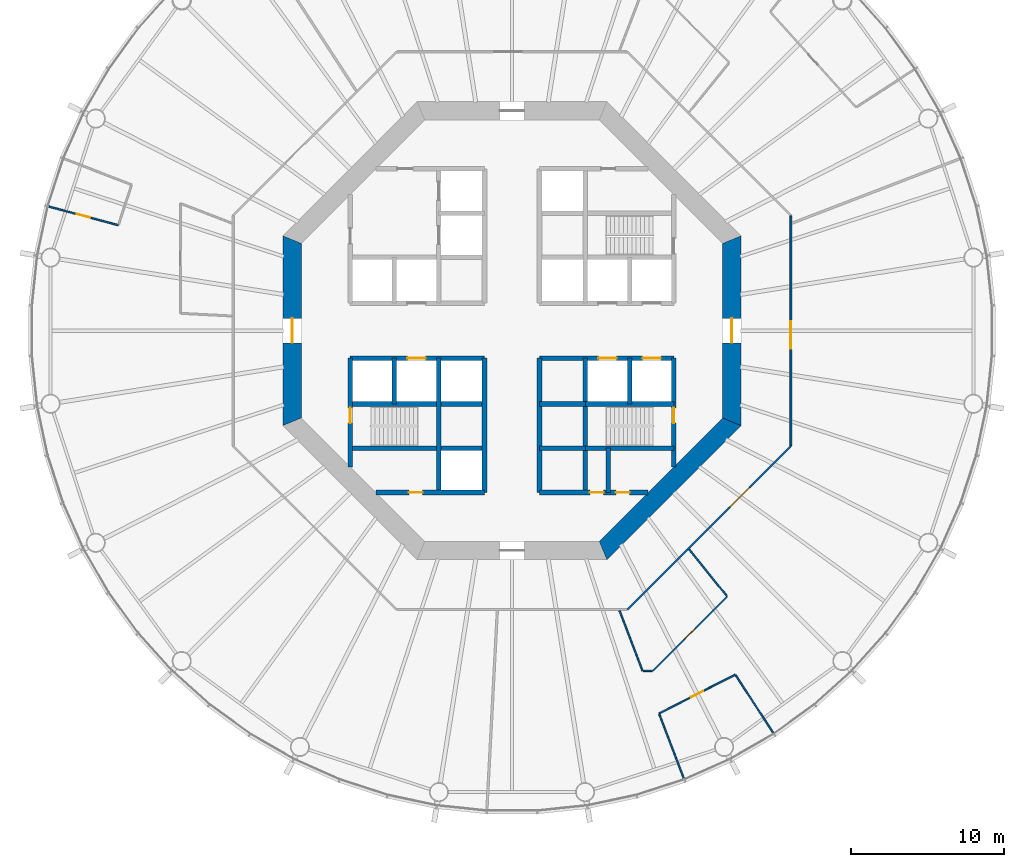
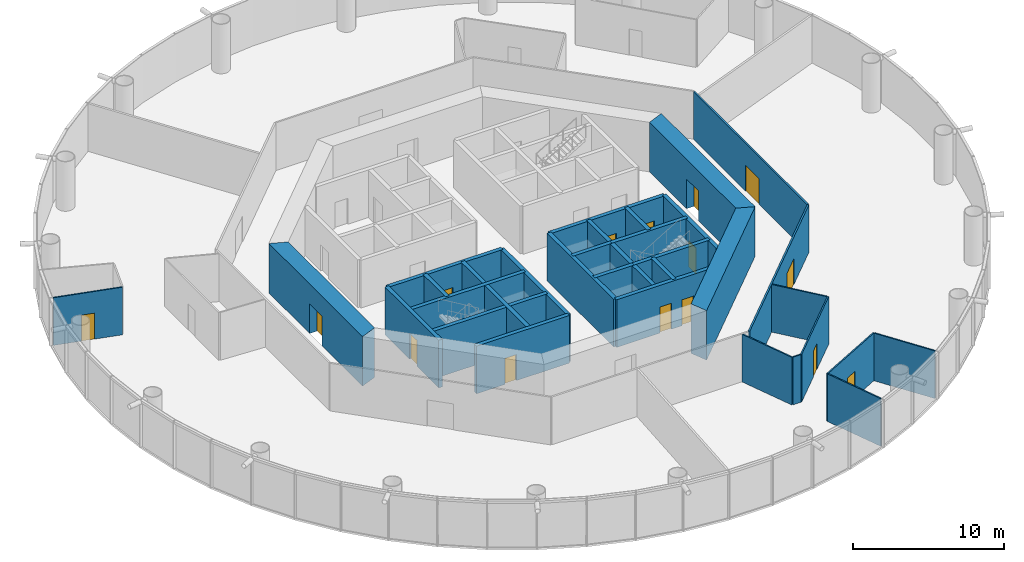
# One storey, part 3 of 12: 32 walls, 15 doors, 15 openings.
"""IFC4 building model written with IfcOpenShell, lengths in metres."""

from ifc_helpers import new_model, si_unit, direction, frame, frame_2d, origin, place, context, subcontext, project, spatial, polyline, rectangle, outline, extrude, material, layer, layer_set, type_object, element, fill, save


model = new_model("IFC4")

# Units and contexts
model_context = context("Model", 3, precision=1e-05, world=origin(), true_north=direction((0.0, 1.0)))
body_context = subcontext(model_context, "Body", "Model", "MODEL_VIEW")
ifc_project = project(units=[si_unit("LENGTHUNIT", "METRE"), si_unit("AREAUNIT", "SQUARE_METRE"), si_unit("VOLUMEUNIT", "CUBIC_METRE"), si_unit("PLANEANGLEUNIT", "RADIAN"), si_unit("MASSUNIT", "GRAM", prefix="KILO")], contexts=[model_context])

# Site, building, storey
site_placement = place(None, origin())
site = spatial("IfcSite", under=ifc_project, at=site_placement, CompositionType="ELEMENT")
building_placement = place(site_placement, origin())
building = spatial("IfcBuilding", under=site, at=building_placement, Name="Entoto Ring Tower", CompositionType="ELEMENT")
storey_placement = place(building_placement, frame((0.0, 0.0, 128.0)))
storey = spatial("IfcBuildingStorey", under=building, at=storey_placement, Name="L29", CompositionType="ELEMENT", Elevation=128.0)

# Wall, opening, door
ifc_material_1 = material(Name="Concrete C40/50", Category="concrete")
ifc_layer_1 = layer(ifc_material_1, 0.300048828125)
ifc_layer_set_1 = layer_set([ifc_layer_1], Name="Concrete C40/50")
wall_type_1 = type_object("IfcWallType", Name="Core enclosure wall 300 mm reinforced concrete", PredefinedType="SOLIDWALL", material=ifc_layer_set_1)
wall_1_placement = place(storey_placement, frame((100.60009765625, 71.083984375, 0.0), z_axis=(0.0, 0.0, 1.0), x_axis=(0.0, 1.0, 0.0)))
wall_1 = element("IfcWall", 1, at=wall_1_placement, inside=storey, type_object=wall_type_1, Name="wall-L29-001", PredefinedType="SOLIDWALL", context=body_context, shape_type="SweptSolid", body=[
    extrude(rectangle(XDim=7.115966796875, YDim=0.300048828125, at=frame_2d((3.55810546875, 0.0))), origin(), (0.0, 0.0, 1.0), 3.85009765625),
])
opening_1_placement = place(wall_1_placement, frame((2.8662109375, 0.0, 0.0)))
opening_1 = element("IfcOpeningElement", 2, at=opening_1_placement, cuts=wall_1, Name="Opening K-47", PredefinedType="OPENING", context=body_context, shape_type="SweptSolid", body=[
    extrude(rectangle(XDim=1.0, YDim=2.10009765625, at=frame_2d((0.5, 1.050048828125))), frame((0.0, 0.16015625, 0.0), z_axis=(0.0, -1.0, 0.0), x_axis=(1.0, 0.0, 0.0)), (0.0, 0.0, 1.0), 0.320068359375),
])
ifc_material_2 = material(Name="Steel door leaf, fire rated", Category="steel")
ifc_layer_2 = layer(ifc_material_2, 0.050048828125)
ifc_layer_set_2 = layer_set([ifc_layer_2], Name="Steel door leaf, fire rated")
door_type_1 = type_object("IfcDoorType", Name="Fire door FD60 1000 x 2100 single leaf", OperationType="NOTDEFINED", PredefinedType="DOOR", material=ifc_layer_set_2)
door_1_placement = place(opening_1_placement, origin())
door_1 = element("IfcDoor", 3, at=door_1_placement, inside=storey, type_object=door_type_1, Name="Door K-47", OperationType="SINGLE_SWING_RIGHT", OverallHeight=2.10009765625, OverallWidth=1.0, PredefinedType="DOOR", context=body_context, shape_type="SweptSolid", body=[
    extrude(rectangle(XDim=1.0, YDim=2.10009765625, at=frame_2d((0.5, 1.050048828125))), frame((0.0, 0.02490234375, 0.0), z_axis=(0.0, -1.0, 0.0), x_axis=(1.0, 0.0, 0.0)), (0.0, 0.0, 1.0), 0.050048828125),
])
fill(opening_1, door_1)

# Walls
wall_2_placement = place(storey_placement, frame((97.699951171875, 75.199951171875, 0.0), z_axis=(0.0, 0.0, 1.0), x_axis=(0.0, 1.0, 0.0)))
element("IfcWall", 4, at=wall_2_placement, inside=storey, type_object=wall_type_1, Name="wall-L29-003", PredefinedType="SOLIDWALL", context=body_context, shape_type="SweptSolid", body=[
    extrude(rectangle(XDim=3.0, YDim=0.300048828125, at=frame_2d((1.5, 0.0))), origin(), (0.0, 0.0, 1.0), 3.85009765625),
])
wall_3_placement = place(storey_placement, frame((96.300048828125, 69.39990234375, 0.0), z_axis=(0.0, 0.0, 1.0), x_axis=(0.0, 1.0, 0.0)))
element("IfcWall", 5, at=wall_3_placement, inside=storey, type_object=wall_type_1, Name="wall-L29-005", PredefinedType="SOLIDWALL", context=body_context, shape_type="SweptSolid", body=[
    extrude(rectangle(XDim=2.900146484375, YDim=0.300048828125, at=frame_2d((1.4501953125, 0.0))), origin(), (0.0, 0.0, 1.0), 3.85009765625),
])
for number, where, z_axis, x_axis, name in (
    (6, (94.800048828125, 69.39990234375, 0.0), (0.0, 0.0, 1.0), (0.0, 1.0, 0.0), "wall-L29-006"),
    (7, (91.800048828125, 69.39990234375, 0.0), (0.0, 0.0, 1.0), (0.0, 1.0, 0.0), "wall-L29-008"),
    (8, (88.199951171875, 69.39990234375, 0.0), (0.0, 0.0, 1.0), (0.0, 1.0, 0.0), "wall-L29-010"),
    (9, (85.199951171875, 69.39990234375, 0.0), (0.0, 0.0, 1.0), (0.0, 1.0, 0.0), "wall-L29-012"),
):
    element("IfcWall", number, at=place(storey_placement, frame(where, z_axis=z_axis, x_axis=x_axis)), inside=storey, type_object=wall_type_1, Name=name, PredefinedType="SOLIDWALL", context=body_context, shape_type="SweptSolid", body=[
        extrude(rectangle(XDim=8.800048828125, YDim=0.300048828125, at=frame_2d((4.39990234375, 0.0))), origin(), (0.0, 0.0, 1.0), 3.85009765625),
    ])
wall_4_placement = place(storey_placement, frame((82.300048828125, 75.199951171875, 0.0), z_axis=(0.0, 0.0, 1.0), x_axis=(0.0, 1.0, 0.0)))
element("IfcWall", 10, at=wall_4_placement, inside=storey, type_object=wall_type_1, Name="wall-L29-014", PredefinedType="SOLIDWALL", context=body_context, shape_type="SweptSolid", body=[
    extrude(rectangle(XDim=3.0, YDim=0.300048828125, at=frame_2d((1.5, 0.0))), origin(), (0.0, 0.0, 1.0), 3.85009765625),
])

# Wall, opening, door
wall_5_placement = place(storey_placement, frame((79.39990234375, 71.083984375, 0.0), z_axis=(0.0, 0.0, 1.0), x_axis=(0.0, 1.0, 0.0)))
wall_5 = element("IfcWall", 11, at=wall_5_placement, inside=storey, type_object=wall_type_1, Name="wall-L29-016", PredefinedType="SOLIDWALL", context=body_context, shape_type="SweptSolid", body=[
    extrude(rectangle(XDim=7.115966796875, YDim=0.300048828125, at=frame_2d((3.55810546875, 0.0))), origin(), (0.0, 0.0, 1.0), 3.85009765625),
])
opening_2_placement = place(wall_5_placement, frame((2.8662109375, 0.0, 0.0)))
opening_2 = element("IfcOpeningElement", 12, at=opening_2_placement, cuts=wall_5, Name="Opening K-44", PredefinedType="OPENING", context=body_context, shape_type="SweptSolid", body=[
    extrude(rectangle(XDim=1.0, YDim=2.10009765625, at=frame_2d((0.5, 1.050048828125))), frame((0.0, 0.16015625, 0.0), z_axis=(0.0, -1.0, 0.0), x_axis=(1.0, 0.0, 0.0)), (0.0, 0.0, 1.0), 0.320068359375),
])
door_2_placement = place(opening_2_placement, frame((1.0, 0.0, 0.0), z_axis=(0.0, 0.0, 1.0), x_axis=(-1.0, 0.0, 0.0)))
door_2 = element("IfcDoor", 13, at=door_2_placement, inside=storey, type_object=door_type_1, Name="Door K-44", OperationType="SINGLE_SWING_LEFT", OverallHeight=2.10009765625, OverallWidth=1.0, PredefinedType="DOOR", context=body_context, shape_type="SweptSolid", body=[
    extrude(rectangle(XDim=1.0, YDim=2.10009765625, at=frame_2d((0.5, 1.050048828125))), frame((0.0, 0.02490234375, 0.0), z_axis=(0.0, -1.0, 0.0), x_axis=(1.0, 0.0, 0.0)), (0.0, 0.0, 1.0), 0.050048828125),
])
fill(opening_2, door_2)

wall_6_placement = place(storey_placement, frame((81.083984375, 69.39990234375, 0.0), z_axis=(0.0, 0.0, 1.0), x_axis=(1.0, 0.0, 0.0)))
wall_6 = element("IfcWall", 14, at=wall_6_placement, inside=storey, type_object=wall_type_1, Name="wall-L29-018", PredefinedType="SOLIDWALL", context=body_context, shape_type="SweptSolid", body=[
    extrude(rectangle(XDim=7.115966796875, YDim=0.300048828125, at=frame_2d((3.55810546875, 0.0))), origin(), (0.0, 0.0, 1.0), 3.85009765625),
])
opening_3_placement = place(wall_6_placement, frame((2.166015625, 0.0, 0.0)))
opening_3 = element("IfcOpeningElement", 15, at=opening_3_placement, cuts=wall_6, Name="Opening K-15", PredefinedType="OPENING", context=body_context, shape_type="SweptSolid", body=[
    extrude(rectangle(XDim=0.89990234375, YDim=2.10009765625, at=frame_2d((0.449951171875, 1.050048828125))), frame((0.0, 0.16015625, 0.0), z_axis=(0.0, -1.0, 0.0), x_axis=(1.0, 0.0, 0.0)), (0.0, 0.0, 1.0), 0.320068359375),
])
ifc_material_3 = material(Name="Steel door leaf, fire rated", Category="steel")
ifc_layer_3 = layer(ifc_material_3, 0.050048828125)
ifc_layer_set_3 = layer_set([ifc_layer_3], Name="Steel door leaf, fire rated")
door_type_2 = type_object("IfcDoorType", Name="Core door 900 x 2100 single leaf", OperationType="NOTDEFINED", PredefinedType="DOOR", material=ifc_layer_set_3)
door_3_placement = place(opening_3_placement, origin())
door_3 = element("IfcDoor", 16, at=door_3_placement, inside=storey, type_object=door_type_2, Name="Door K-15", OperationType="SINGLE_SWING_RIGHT", OverallHeight=2.10009765625, OverallWidth=0.89990234375, PredefinedType="DOOR", context=body_context, shape_type="SweptSolid", body=[
    extrude(rectangle(XDim=0.89990234375, YDim=2.10009765625, at=frame_2d((0.449951171875, 1.050048828125))), frame((0.0, 0.02490234375, 0.0), z_axis=(0.0, -1.0, 0.0), x_axis=(1.0, 0.0, 0.0)), (0.0, 0.0, 1.0), 0.050048828125),
])
fill(opening_3, door_3)

# Wall, openings, doors
wall_7_placement = place(storey_placement, frame((91.800048828125, 69.39990234375, 0.0), z_axis=(0.0, 0.0, 1.0), x_axis=(1.0, 0.0, 0.0)))
wall_7 = element("IfcWall", 17, at=wall_7_placement, inside=storey, type_object=wall_type_1, Name="wall-L29-019", PredefinedType="SOLIDWALL", context=body_context, shape_type="SweptSolid", body=[
    extrude(rectangle(XDim=7.115966796875, YDim=0.300048828125, at=frame_2d((3.55810546875, 0.0))), origin(), (0.0, 0.0, 1.0), 3.85009765625),
])
opening_4_placement = place(wall_7_placement, frame((3.300048828125, 0.0, 0.0)))
opening_4 = element("IfcOpeningElement", 18, at=opening_4_placement, cuts=wall_7, Name="Opening K-16", PredefinedType="OPENING", context=body_context, shape_type="SweptSolid", body=[
    extrude(rectangle(XDim=0.89990234375, YDim=2.10009765625, at=frame_2d((0.449951171875, 1.050048828125))), frame((0.0, 0.16015625, 0.0), z_axis=(0.0, -1.0, 0.0), x_axis=(1.0, 0.0, 0.0)), (0.0, 0.0, 1.0), 0.320068359375),
])
opening_5_placement = place(wall_7_placement, frame((5.0, 0.0, 0.0)))
opening_5 = element("IfcOpeningElement", 19, at=opening_5_placement, cuts=wall_7, Name="Opening K-57", PredefinedType="OPENING", context=body_context, shape_type="SweptSolid", body=[
    extrude(rectangle(XDim=0.89990234375, YDim=2.10009765625, at=frame_2d((0.449951171875, 1.050048828125))), frame((0.0, 0.16015625, 0.0), z_axis=(0.0, -1.0, 0.0), x_axis=(1.0, 0.0, 0.0)), (0.0, 0.0, 1.0), 0.320068359375),
])
door_4_placement = place(opening_4_placement, origin())
door_4 = element("IfcDoor", 20, at=door_4_placement, inside=storey, type_object=door_type_2, Name="Door K-16", OperationType="SINGLE_SWING_LEFT", OverallHeight=2.10009765625, OverallWidth=0.89990234375, PredefinedType="DOOR", context=body_context, shape_type="SweptSolid", body=[
    extrude(rectangle(XDim=0.89990234375, YDim=2.10009765625, at=frame_2d((0.449951171875, 1.050048828125))), frame((0.0, 0.02490234375, 0.0), z_axis=(0.0, -1.0, 0.0), x_axis=(1.0, 0.0, 0.0)), (0.0, 0.0, 1.0), 0.050048828125),
])
fill(opening_4, door_4)
door_5_placement = place(opening_5_placement, origin())
door_5 = element("IfcDoor", 21, at=door_5_placement, inside=storey, type_object=door_type_2, Name="Door K-57", OperationType="SINGLE_SWING_LEFT", OverallHeight=2.10009765625, OverallWidth=0.89990234375, PredefinedType="DOOR", context=body_context, shape_type="SweptSolid", body=[
    extrude(rectangle(XDim=0.89990234375, YDim=2.10009765625, at=frame_2d((0.449951171875, 1.050048828125))), frame((0.0, 0.02490234375, 0.0), z_axis=(0.0, -1.0, 0.0), x_axis=(1.0, 0.0, 0.0)), (0.0, 0.0, 1.0), 0.050048828125),
])
fill(opening_5, door_5)

# Walls
wall_8_placement = place(storey_placement, frame((79.39990234375, 72.300048828125, 0.0), z_axis=(0.0, 0.0, 1.0), x_axis=(1.0, 0.0, 0.0)))
element("IfcWall", 22, at=wall_8_placement, inside=storey, type_object=wall_type_1, Name="wall-L29-020", PredefinedType="SOLIDWALL", context=body_context, shape_type="SweptSolid", body=[
    extrude(rectangle(XDim=8.800048828125, YDim=0.300048828125, at=frame_2d((4.39990234375, 0.0))), origin(), (0.0, 0.0, 1.0), 3.85009765625),
])
wall_9_placement = place(storey_placement, frame((94.800048828125, 72.300048828125, 0.0), z_axis=(0.0, 0.0, 1.0), x_axis=(1.0, 0.0, 0.0)))
element("IfcWall", 23, at=wall_9_placement, inside=storey, type_object=wall_type_1, Name="wall-L29-021", PredefinedType="SOLIDWALL", context=body_context, shape_type="SweptSolid", body=[
    extrude(rectangle(XDim=5.800048828125, YDim=0.300048828125, at=frame_2d((2.89990234375, 0.0))), origin(), (0.0, 0.0, 1.0), 3.85009765625),
])
wall_10_placement = place(storey_placement, frame((91.800048828125, 72.300048828125, 0.0), z_axis=(0.0, 0.0, 1.0), x_axis=(1.0, 0.0, 0.0)))
element("IfcWall", 24, at=wall_10_placement, inside=storey, type_object=wall_type_1, Name="wall-L29-022", PredefinedType="SOLIDWALL", context=body_context, shape_type="SweptSolid", body=[
    extrude(rectangle(XDim=3.0, YDim=0.300048828125, at=frame_2d((1.5, 0.0))), origin(), (0.0, 0.0, 1.0), 3.85009765625),
])
wall_11_placement = place(storey_placement, frame((79.39990234375, 75.199951171875, 0.0), z_axis=(0.0, 0.0, 1.0), x_axis=(1.0, 0.0, 0.0)))
element("IfcWall", 25, at=wall_11_placement, inside=storey, type_object=wall_type_1, Name="wall-L29-023", PredefinedType="SOLIDWALL", context=body_context, shape_type="SweptSolid", body=[
    extrude(rectangle(XDim=8.800048828125, YDim=0.300048828125, at=frame_2d((4.39990234375, 0.0))), origin(), (0.0, 0.0, 1.0), 3.85009765625),
])
wall_12_placement = place(storey_placement, frame((94.800048828125, 75.199951171875, 0.0), z_axis=(0.0, 0.0, 1.0), x_axis=(1.0, 0.0, 0.0)))
element("IfcWall", 26, at=wall_12_placement, inside=storey, type_object=wall_type_1, Name="wall-L29-024", PredefinedType="SOLIDWALL", context=body_context, shape_type="SweptSolid", body=[
    extrude(rectangle(XDim=5.800048828125, YDim=0.300048828125, at=frame_2d((2.89990234375, 0.0))), origin(), (0.0, 0.0, 1.0), 3.85009765625),
])
wall_13_placement = place(storey_placement, frame((91.800048828125, 75.199951171875, 0.0), z_axis=(0.0, 0.0, 1.0), x_axis=(1.0, 0.0, 0.0)))
element("IfcWall", 27, at=wall_13_placement, inside=storey, type_object=wall_type_1, Name="wall-L29-025", PredefinedType="SOLIDWALL", context=body_context, shape_type="SweptSolid", body=[
    extrude(rectangle(XDim=3.0, YDim=0.300048828125, at=frame_2d((1.5, 0.0))), origin(), (0.0, 0.0, 1.0), 3.85009765625),
])

# Wall, opening, door
wall_14_placement = place(storey_placement, frame((79.39990234375, 78.199951171875, 0.0), z_axis=(0.0, 0.0, 1.0), x_axis=(1.0, 0.0, 0.0)))
wall_14 = element("IfcWall", 28, at=wall_14_placement, inside=storey, type_object=wall_type_1, Name="wall-L29-026", PredefinedType="SOLIDWALL", context=body_context, shape_type="SweptSolid", body=[
    extrude(rectangle(XDim=8.800048828125, YDim=0.300048828125, at=frame_2d((4.39990234375, 0.0))), origin(), (0.0, 0.0, 1.0), 3.85009765625),
])
opening_6_placement = place(wall_14_placement, frame((3.75, 0.0, 0.0)))
opening_6 = element("IfcOpeningElement", 29, at=opening_6_placement, cuts=wall_14, Name="Opening LD", PredefinedType="OPENING", context=body_context, shape_type="SweptSolid", body=[
    extrude(rectangle(XDim=1.199951171875, YDim=2.10009765625, at=frame_2d((0.60009765625, 1.050048828125))), frame((0.0, 0.16015625, 0.0), z_axis=(0.0, -1.0, 0.0), x_axis=(1.0, 0.0, 0.0)), (0.0, 0.0, 1.0), 0.320068359375),
])
ifc_material_4 = material(Name="Steel and glass door leaf", Category="steel")
ifc_layer_4 = layer(ifc_material_4, 0.050048828125)
ifc_layer_set_4 = layer_set([ifc_layer_4], Name="Steel and glass door leaf")
door_type_3 = type_object("IfcDoorType", Name="Landing door 1200 x 2100 sliding", OperationType="DOUBLE_DOOR_SLIDING", PredefinedType="DOOR", material=ifc_layer_set_4)
door_6_placement = place(opening_6_placement, origin())
door_6 = element("IfcDoor", 30, at=door_6_placement, inside=storey, type_object=door_type_3, Name="Landing door LB6-LR", OperationType="SLIDING_TO_RIGHT", OverallHeight=2.10009765625, OverallWidth=1.199951171875, PredefinedType="DOOR", context=body_context, shape_type="SweptSolid", body=[
    extrude(rectangle(XDim=1.199951171875, YDim=2.10009765625, at=frame_2d((0.60009765625, 1.050048828125))), frame((0.0, 0.02490234375, 0.0), z_axis=(0.0, -1.0, 0.0), x_axis=(1.0, 0.0, 0.0)), (0.0, 0.0, 1.0), 0.050048828125),
])
fill(opening_6, door_6)

# Wall, openings, doors
wall_15_placement = place(storey_placement, frame((91.800048828125, 78.199951171875, 0.0), z_axis=(0.0, 0.0, 1.0), x_axis=(1.0, 0.0, 0.0)))
wall_15 = element("IfcWall", 31, at=wall_15_placement, inside=storey, type_object=wall_type_1, Name="wall-L29-027", PredefinedType="SOLIDWALL", context=body_context, shape_type="SweptSolid", body=[
    extrude(rectangle(XDim=8.800048828125, YDim=0.300048828125, at=frame_2d((4.39990234375, 0.0))), origin(), (0.0, 0.0, 1.0), 3.85009765625),
])
opening_7_placement = place(wall_15_placement, frame((3.85009765625, 0.0, 0.0)))
opening_7 = element("IfcOpeningElement", 32, at=opening_7_placement, cuts=wall_15, Name="Opening LD", PredefinedType="OPENING", context=body_context, shape_type="SweptSolid", body=[
    extrude(rectangle(XDim=1.199951171875, YDim=2.10009765625, at=frame_2d((0.60009765625, 1.050048828125))), frame((0.0, 0.16015625, 0.0), z_axis=(0.0, -1.0, 0.0), x_axis=(1.0, 0.0, 0.0)), (0.0, 0.0, 1.0), 0.320068359375),
])
opening_8_placement = place(wall_15_placement, frame((6.75, 0.0, 0.0)))
opening_8 = element("IfcOpeningElement", 33, at=opening_8_placement, cuts=wall_15, Name="Opening LD", PredefinedType="OPENING", context=body_context, shape_type="SweptSolid", body=[
    extrude(rectangle(XDim=1.199951171875, YDim=2.10009765625, at=frame_2d((0.60009765625, 1.050048828125))), frame((0.0, 0.16015625, 0.0), z_axis=(0.0, -1.0, 0.0), x_axis=(1.0, 0.0, 0.0)), (0.0, 0.0, 1.0), 0.320068359375),
])
door_7_placement = place(opening_7_placement, origin())
door_7 = element("IfcDoor", 34, at=door_7_placement, inside=storey, type_object=door_type_3, Name="Landing door LB4-LR", OperationType="SLIDING_TO_RIGHT", OverallHeight=2.10009765625, OverallWidth=1.199951171875, PredefinedType="DOOR", context=body_context, shape_type="SweptSolid", body=[
    extrude(rectangle(XDim=1.199951171875, YDim=2.10009765625, at=frame_2d((0.60009765625, 1.050048828125))), frame((0.0, 0.02490234375, 0.0), z_axis=(0.0, -1.0, 0.0), x_axis=(1.0, 0.0, 0.0)), (0.0, 0.0, 1.0), 0.050048828125),
])
fill(opening_7, door_7)
door_8_placement = place(opening_8_placement, origin())
door_8 = element("IfcDoor", 35, at=door_8_placement, inside=storey, type_object=door_type_3, Name="Landing door LB5-LR", OperationType="SLIDING_TO_RIGHT", OverallHeight=2.10009765625, OverallWidth=1.199951171875, PredefinedType="DOOR", context=body_context, shape_type="SweptSolid", body=[
    extrude(rectangle(XDim=1.199951171875, YDim=2.10009765625, at=frame_2d((0.60009765625, 1.050048828125))), frame((0.0, 0.02490234375, 0.0), z_axis=(0.0, -1.0, 0.0), x_axis=(1.0, 0.0, 0.0)), (0.0, 0.0, 1.0), 0.050048828125),
])
fill(opening_8, door_8)

# Wall, opening, door
ifc_material_5 = material(Name="Concrete C60/75", Category="concrete")
ifc_layer_5 = layer(ifc_material_5, 1.199951171875)
ifc_layer_set_5 = layer_set([ifc_layer_5], Name="Concrete C60/75")
wall_type_2 = type_object("IfcWallType", Name="Core shear wall 1200 mm reinforced concrete C60/75", PredefinedType="SHEAR", material=ifc_layer_set_5)
wall_16_placement = place(storey_placement, frame((104.39990234375, 74.035400390625, 0.0), z_axis=(0.0, 0.0, 1.0), x_axis=(0.0, 1.0, 0.0)))
wall_16 = element("IfcWall", 36, at=wall_16_placement, inside=storey, type_object=wall_type_2, Name="wall-L29-core-0", PredefinedType="SHEAR", context=body_context, shape_type="SweptSolid", body=[
    extrude(outline(polyline([(-0.24853515625, -0.60009765625), (12.177734375, -0.60009765625), (11.6806640625, 0.60009765625), (0.24853515625, 0.60009765625), (-0.24853515625, -0.60009765625)])), origin(), (0.0, 0.0, 1.0), 4.0),
])
opening_9_placement = place(wall_16_placement, frame((5.164794921875, 0.0, 0.0)))
opening_9 = element("IfcOpeningElement", 37, at=opening_9_placement, cuts=wall_16, Name="Opening K-01", PredefinedType="OPENING", context=body_context, shape_type="SweptSolid", body=[
    extrude(rectangle(XDim=1.60009765625, YDim=2.39990234375, at=frame_2d((0.800048828125, 1.199951171875))), frame((0.0, 0.60986328125, 0.0), z_axis=(0.0, -1.0, 0.0), x_axis=(1.0, 0.0, 0.0)), (0.0, 0.0, 1.0), 1.219970703125),
])
ifc_material_6 = material(Name="Steel door leaf, fire rated", Category="steel")
ifc_layer_6 = layer(ifc_material_6, 0.050048828125)
ifc_layer_set_6 = layer_set([ifc_layer_6], Name="Steel door leaf, fire rated")
door_type_4 = type_object("IfcDoorType", Name="Entrance door FD60 1600 x 2400 double leaf", OperationType="DOUBLE_DOOR_SINGLE_SWING", PredefinedType="DOOR", material=ifc_layer_set_6)
door_9_placement = place(opening_9_placement, origin())
door_9 = element("IfcDoor", 38, at=door_9_placement, inside=storey, type_object=door_type_4, Name="Entrance door K-01", OperationType="DOUBLE_DOOR_SINGLE_SWING", OverallHeight=2.39990234375, OverallWidth=1.60009765625, PredefinedType="DOOR", context=body_context, shape_type="SweptSolid", body=[
    extrude(rectangle(XDim=1.60009765625, YDim=2.39990234375, at=frame_2d((0.800048828125, 1.199951171875))), frame((0.0, 0.02490234375, 0.0), z_axis=(0.0, -1.0, 0.0), x_axis=(1.0, 0.0, 0.0)), (0.0, 0.0, 1.0), 0.050048828125),
])
fill(opening_9, door_9)

wall_17_placement = place(storey_placement, frame((75.60009765625, 85.964599609375, 0.0), z_axis=(0.0, 0.0, 1.0), x_axis=(0.0, -1.0, 0.0)))
wall_17 = element("IfcWall", 39, at=wall_17_placement, inside=storey, type_object=wall_type_2, Name="wall-L29-core-4", PredefinedType="SHEAR", context=body_context, shape_type="SweptSolid", body=[
    extrude(outline(polyline([(-0.24853515625, -0.60009765625), (12.177734375, -0.60009765625), (11.6806640625, 0.60009765625), (0.24853515625, 0.60009765625), (-0.24853515625, -0.60009765625)])), origin(), (0.0, 0.0, 1.0), 4.0),
])
opening_10_placement = place(wall_17_placement, frame((5.164794921875, 0.0, 0.0)))
opening_10 = element("IfcOpeningElement", 40, at=opening_10_placement, cuts=wall_17, Name="Opening K-03", PredefinedType="OPENING", context=body_context, shape_type="SweptSolid", body=[
    extrude(rectangle(XDim=1.60009765625, YDim=2.39990234375, at=frame_2d((0.800048828125, 1.199951171875))), frame((0.0, 0.60986328125, 0.0), z_axis=(0.0, -1.0, 0.0), x_axis=(1.0, 0.0, 0.0)), (0.0, 0.0, 1.0), 1.219970703125),
])
door_10_placement = place(opening_10_placement, origin())
door_10 = element("IfcDoor", 41, at=door_10_placement, inside=storey, type_object=door_type_4, Name="Entrance door K-03", OperationType="DOUBLE_DOOR_SINGLE_SWING", OverallHeight=2.39990234375, OverallWidth=1.60009765625, PredefinedType="DOOR", context=body_context, shape_type="SweptSolid", body=[
    extrude(rectangle(XDim=1.60009765625, YDim=2.39990234375, at=frame_2d((0.800048828125, 1.199951171875))), frame((0.0, 0.02490234375, 0.0), z_axis=(0.0, -1.0, 0.0), x_axis=(1.0, 0.0, 0.0)), (0.0, 0.0, 1.0), 0.050048828125),
])
fill(opening_10, door_10)

# Wall
wall_18_placement = place(storey_placement, frame((95.964599609375, 65.60009765625, 0.0), z_axis=(0.0, 0.0, 1.0), x_axis=(0.707106781187, 0.707106781187, 0.0)))
element("IfcWall", 42, at=wall_18_placement, inside=storey, type_object=wall_type_2, Name="wall-L29-core-7", PredefinedType="SHEAR", context=body_context, shape_type="SweptSolid", body=[
    extrude(outline(polyline([(-0.24853515625, -0.60009765625), (12.177734375, -0.60009765625), (11.6806640625, 0.60009765625), (0.24853515625, 0.60009765625), (-0.24853515625, -0.60009765625)])), origin(), (0.0, 0.0, 1.0), 4.0),
])

# Wall, opening, door
ifc_material_7 = material(Name="Fire-resisting plasterboard on steel studs", Category="steel")
ifc_layer_7 = layer(ifc_material_7, 0.125)
ifc_layer_set_7 = layer_set([ifc_layer_7], Name="Fire-resisting plasterboard on steel studs")
wall_type_3 = type_object("IfcWallType", Name="Corridor wall 125 mm one-hour plasterboard on steel studs", PredefinedType="PARTITIONING", material=ifc_layer_set_7)
wall_19_placement = place(storey_placement, frame((97.564697265625, 61.737548828125, 0.0), z_axis=(0.0, 0.0, 1.0), x_axis=(0.707106781187, 0.707106781187, 0.0)))
wall_19 = element("IfcWall", 43, at=wall_19_placement, inside=storey, type_object=wall_type_3, Name="partition-L29-003", PredefinedType="PARTITIONING", context=body_context, shape_type="SweptSolid", body=[
    extrude(rectangle(XDim=15.12890625, YDim=0.125, at=frame_2d((7.564453125, 0.0))), origin(), (0.0, 0.0, 1.0), 3.85009765625),
])
opening_11_placement = place(wall_19_placement, frame((9.487060546875, 0.0, 0.0)))
opening_11 = element("IfcOpeningElement", 44, at=opening_11_placement, cuts=wall_19, Name="Opening A12-D06", PredefinedType="OPENING", context=body_context, shape_type="SweptSolid", body=[
    extrude(rectangle(XDim=1.800048828125, YDim=2.10009765625, at=frame_2d((0.89990234375, 1.050048828125))), frame((0.0, 0.072509765625, 0.0), z_axis=(0.0, -1.0, 0.0), x_axis=(1.0, 0.0, 0.0)), (0.0, 0.0, 1.0), 0.14501953125),
])
ifc_material_8 = material(Name="Fire-resisting timber door set", Category="wood")
door_type_5 = type_object("IfcDoorType", Name="Door 1800 x 2100 double leaf FD30S fire door", OperationType="DOUBLE_DOOR_SINGLE_SWING", PredefinedType="DOOR", material=ifc_material_8)
door_11_placement = place(opening_11_placement, origin())
door_11 = element("IfcDoor", 45, at=door_11_placement, inside=storey, type_object=door_type_5, Name="Door A12-D06", OperationType="DOUBLE_DOOR_SINGLE_SWING", OverallHeight=2.10009765625, OverallWidth=1.800048828125, PredefinedType="DOOR", context=body_context, shape_type="SweptSolid", body=[
    extrude(rectangle(XDim=1.800048828125, YDim=2.10009765625, at=frame_2d((0.89990234375, 1.050048828125))), frame((0.0, 0.02490234375, 0.0), z_axis=(0.0, -1.0, 0.0), x_axis=(1.0, 0.0, 0.0)), (0.0, 0.0, 1.0), 0.050048828125),
])
fill(opening_11, door_11)

wall_20_placement = place(storey_placement, frame((108.262451171875, 72.4794921875, 0.0), z_axis=(0.0, 0.0, 1.0), x_axis=(0.0, 1.0, 0.0)))
wall_20 = element("IfcWall", 46, at=wall_20_placement, inside=storey, type_object=wall_type_3, Name="partition-L29-008", PredefinedType="PARTITIONING", context=body_context, shape_type="SweptSolid", body=[
    extrude(rectangle(XDim=15.041015625, YDim=0.125, at=frame_2d((7.5205078125, 0.0))), origin(), (0.0, 0.0, 1.0), 3.85009765625),
])
opening_12_placement = place(wall_20_placement, frame((6.343505859375, 0.0, 0.0)))
opening_12 = element("IfcOpeningElement", 47, at=opening_12_placement, cuts=wall_20, Name="Opening A12-D05", PredefinedType="OPENING", context=body_context, shape_type="SweptSolid", body=[
    extrude(rectangle(XDim=1.800048828125, YDim=2.10009765625, at=frame_2d((0.89990234375, 1.050048828125))), frame((0.0, 0.072509765625, 0.0), z_axis=(0.0, -1.0, 0.0), x_axis=(1.0, 0.0, 0.0)), (0.0, 0.0, 1.0), 0.14501953125),
])
door_12_placement = place(opening_12_placement, origin())
door_12 = element("IfcDoor", 48, at=door_12_placement, inside=storey, type_object=door_type_5, Name="Door A12-D05", OperationType="DOUBLE_DOOR_SINGLE_SWING", OverallHeight=2.10009765625, OverallWidth=1.800048828125, PredefinedType="DOOR", context=body_context, shape_type="SweptSolid", body=[
    extrude(rectangle(XDim=1.800048828125, YDim=2.10009765625, at=frame_2d((0.89990234375, 1.050048828125))), frame((0.0, 0.02490234375, 0.0), z_axis=(0.0, -1.0, 0.0), x_axis=(1.0, 0.0, 0.0)), (0.0, 0.0, 1.0), 0.050048828125),
])
fill(opening_12, door_12)

ifc_material_9 = material(Name="Plasterboard on steel studs", Category="steel")
ifc_layer_8 = layer(ifc_material_9, 0.10009765625)
ifc_layer_set_8 = layer_set([ifc_layer_8], Name="Plasterboard on steel studs")
wall_type_4 = type_object("IfcWallType", Name="Partition 100 mm plasterboard on steel studs", PredefinedType="PARTITIONING", material=ifc_layer_set_8)
wall_21_placement = place(storey_placement, frame((99.229736328125, 57.717529296875, 0.0), z_axis=(0.0, 0.0, 1.0), x_axis=(0.707106781187, 0.707106781187, 0.0)))
wall_21 = element("IfcWall", 49, at=wall_21_placement, inside=storey, type_object=wall_type_4, Name="partition-L29-015", PredefinedType="PARTITIONING", context=body_context, shape_type="SweptSolid", body=[
    extrude(rectangle(XDim=6.8876953125, YDim=0.10009765625, at=frame_2d((3.44384765625, 0.0))), origin(), (0.0, 0.0, 1.0), 3.85009765625),
])
opening_13_placement = place(wall_21_placement, frame((2.993896484375, 0.0, 0.0)))
opening_13 = element("IfcOpeningElement", 50, at=opening_13_placement, cuts=wall_21, Name="Opening A12-D07", PredefinedType="OPENING", context=body_context, shape_type="SweptSolid", body=[
    extrude(rectangle(XDim=0.89990234375, YDim=2.10009765625, at=frame_2d((0.449951171875, 1.050048828125))), frame((0.0, 0.06005859375, 0.0), z_axis=(0.0, -1.0, 0.0), x_axis=(1.0, 0.0, 0.0)), (0.0, 0.0, 1.0), 0.1201171875),
])
ifc_material_10 = material(Name="Veneered timber door leaf in timber frame", Category="wood")
door_type_6 = type_object("IfcDoorType", Name="Door 900 x 2100 single leaf timber veneer", OperationType="NOTDEFINED", PredefinedType="DOOR", material=ifc_material_10)
door_13_placement = place(opening_13_placement, origin())
door_13 = element("IfcDoor", 51, at=door_13_placement, inside=storey, type_object=door_type_6, Name="Door A12-D07", OperationType="SINGLE_SWING_RIGHT", OverallHeight=2.10009765625, OverallWidth=0.89990234375, PredefinedType="DOOR", context=body_context, shape_type="SweptSolid", body=[
    extrude(rectangle(XDim=0.89990234375, YDim=2.10009765625, at=frame_2d((0.449951171875, 1.050048828125))), frame((0.0, 0.02490234375, 0.0), z_axis=(0.0, -1.0, 0.0), x_axis=(1.0, 0.0, 0.0)), (0.0, 0.0, 1.0), 0.050048828125),
])
fill(opening_13, door_13)

wall_22_placement = place(storey_placement, frame((99.625732421875, 54.924072265625, 0.0), z_axis=(0.0, 0.0, 1.0), x_axis=(0.891001336503, 0.454000681002, 0.0)))
wall_22 = element("IfcWall", 52, at=wall_22_placement, inside=storey, type_object=wall_type_4, Name="partition-L29-016", PredefinedType="PARTITIONING", context=body_context, shape_type="SweptSolid", body=[
    extrude(rectangle(XDim=5.615234375, YDim=0.10009765625, at=frame_2d((2.8076171875, 0.0))), origin(), (0.0, 0.0, 1.0), 3.85009765625),
])
opening_14_placement = place(wall_22_placement, frame((2.357666015625, 0.0, 0.0)))
opening_14 = element("IfcOpeningElement", 53, at=opening_14_placement, cuts=wall_22, Name="Opening A12-D08", PredefinedType="OPENING", context=body_context, shape_type="SweptSolid", body=[
    extrude(rectangle(XDim=0.89990234375, YDim=2.10009765625, at=frame_2d((0.449951171875, 1.050048828125))), frame((0.0, 0.06005859375, 0.0), z_axis=(0.0, -1.0, 0.0), x_axis=(1.0, 0.0, 0.0)), (0.0, 0.0, 1.0), 0.1201171875),
])
door_14_placement = place(opening_14_placement, frame((0.89990234375, 0.0, 0.0), z_axis=(0.0, 0.0, 1.0), x_axis=(-1.0, 0.0, 0.0)))
door_14 = element("IfcDoor", 54, at=door_14_placement, inside=storey, type_object=door_type_6, Name="Door A12-D08", OperationType="SINGLE_SWING_RIGHT", OverallHeight=2.10009765625, OverallWidth=0.89990234375, PredefinedType="DOOR", context=body_context, shape_type="SweptSolid", body=[
    extrude(rectangle(XDim=0.89990234375, YDim=2.10009765625, at=frame_2d((0.449951171875, 1.050048828125))), frame((0.0, 0.02490234375, 0.0), z_axis=(0.0, -1.0, 0.0), x_axis=(1.0, 0.0, 0.0)), (0.0, 0.0, 1.0), 0.050048828125),
])
fill(opening_14, door_14)

wall_23_placement = place(storey_placement, frame((64.219482421875, 86.907958984375, 0.0), z_axis=(0.0, 0.0, 1.0), x_axis=(-0.965933139576, 0.258791750001, 0.0)))
wall_23 = element("IfcWall", 55, at=wall_23_placement, inside=storey, type_object=wall_type_4, Name="partition-L29-017", PredefinedType="PARTITIONING", context=body_context, shape_type="SweptSolid", body=[
    extrude(rectangle(XDim=4.75, YDim=0.10009765625, at=frame_2d((2.375, 0.0))), origin(), (0.0, 0.0, 1.0), 3.85009765625),
])
opening_15_placement = place(wall_23_placement, frame((1.925048828125, 0.0, 0.0)))
opening_15 = element("IfcOpeningElement", 56, at=opening_15_placement, cuts=wall_23, Name="Opening A12-D04", PredefinedType="OPENING", context=body_context, shape_type="SweptSolid", body=[
    extrude(rectangle(XDim=0.89990234375, YDim=2.10009765625, at=frame_2d((0.449951171875, 1.050048828125))), frame((0.0, 0.06005859375, 0.0), z_axis=(0.0, -1.0, 0.0), x_axis=(1.0, 0.0, 0.0)), (0.0, 0.0, 1.0), 0.1201171875),
])
door_15_placement = place(opening_15_placement, frame((0.89990234375, 0.0, 0.0), z_axis=(0.0, 0.0, 1.0), x_axis=(-1.0, 0.0, 0.0)))
door_15 = element("IfcDoor", 57, at=door_15_placement, inside=storey, type_object=door_type_6, Name="Door A12-D04", OperationType="SINGLE_SWING_LEFT", OverallHeight=2.10009765625, OverallWidth=0.89990234375, PredefinedType="DOOR", context=body_context, shape_type="SweptSolid", body=[
    extrude(rectangle(XDim=0.89990234375, YDim=2.10009765625, at=frame_2d((0.449951171875, 1.050048828125))), frame((0.0, 0.02490234375, 0.0), z_axis=(0.0, -1.0, 0.0), x_axis=(1.0, 0.0, 0.0)), (0.0, 0.0, 1.0), 0.050048828125),
])
fill(opening_15, door_15)

# Walls
wall_24_placement = place(storey_placement, frame((107.12353515625, 53.632080078125, 0.0), z_axis=(0.0, 0.0, 1.0), x_axis=(-0.54464925474, 0.83866393109, 0.0)))
element("IfcWall", 58, at=wall_24_placement, inside=storey, type_object=wall_type_4, Name="partition-L29-019", PredefinedType="PARTITIONING", context=body_context, shape_type="SweptSolid", body=[
    extrude(rectangle(XDim=4.530517578125, YDim=0.10009765625, at=frame_2d((2.26513671875, 0.0))), origin(), (0.0, 0.0, 1.0), 3.85009765625),
])
wall_25_placement = place(storey_placement, frame((101.26708984375, 50.648193359375, 0.0), z_axis=(0.0, 0.0, 1.0), x_axis=(-0.358365105926, 0.933581518055, 0.0)))
element("IfcWall", 59, at=wall_25_placement, inside=storey, type_object=wall_type_4, Name="partition-L29-020", PredefinedType="PARTITIONING", context=body_context, shape_type="SweptSolid", body=[
    extrude(rectangle(XDim=4.5302734375, YDim=0.10009765625, at=frame_2d((2.26513671875, 0.0))), origin(), (0.0, 0.0, 1.0), 3.85009765625),
])
wall_26_placement = place(storey_placement, frame((98.553466796875, 57.717529296875, 0.0), z_axis=(0.0, 0.0, 1.0), x_axis=(-0.358397500499, 0.933569082412, 0.0)))
element("IfcWall", 60, at=wall_26_placement, inside=storey, type_object=wall_type_4, Name="partition-L29-024", PredefinedType="PARTITIONING", context=body_context, shape_type="SweptSolid", body=[
    extrude(rectangle(XDim=4.219970703125, YDim=0.10009765625, at=frame_2d((2.10986328125, 0.0))), origin(), (0.0, 0.0, 1.0), 3.85009765625),
])
wall_27_placement = place(storey_placement, frame((104.06884765625, 62.62646484375, 0.0), z_axis=(0.0, 0.0, 1.0), x_axis=(-0.629327073612, 0.777140549977, 0.0)))
element("IfcWall", 61, at=wall_27_placement, inside=storey, type_object=wall_type_4, Name="partition-L29-026", PredefinedType="PARTITIONING", context=body_context, shape_type="SweptSolid", body=[
    extrude(rectangle(XDim=3.92431640625, YDim=0.10009765625, at=frame_2d((1.962158203125, 0.0))), origin(), (0.0, 0.0, 1.0), 3.85009765625),
])
wall_28_placement = place(storey_placement, frame((98.60009765625, 57.717529296875, 0.0), z_axis=(0.0, 0.0, 1.0), x_axis=(1.0, 0.0, 0.0)))
element("IfcWall", 62, at=wall_28_placement, inside=storey, type_object=wall_type_4, Name="partition-L29-031", PredefinedType="PARTITIONING", context=body_context, shape_type="SweptSolid", body=[
    extrude(rectangle(XDim=0.594482421875, YDim=0.10009765625, at=frame_2d((0.29736328125, 0.0))), origin(), (0.0, 0.0, 1.0), 3.85009765625),
])

save(model, "model.ifc")
